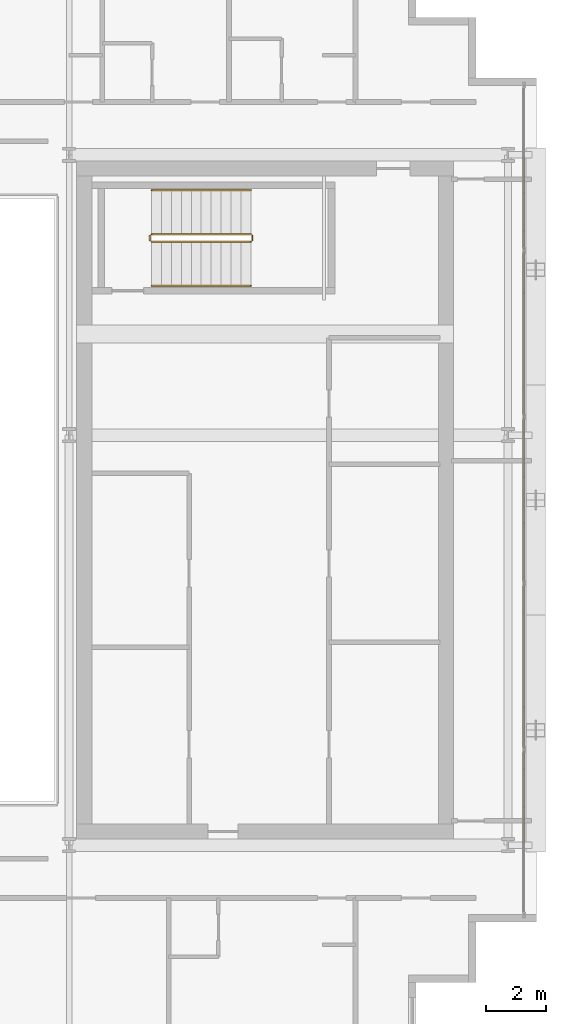
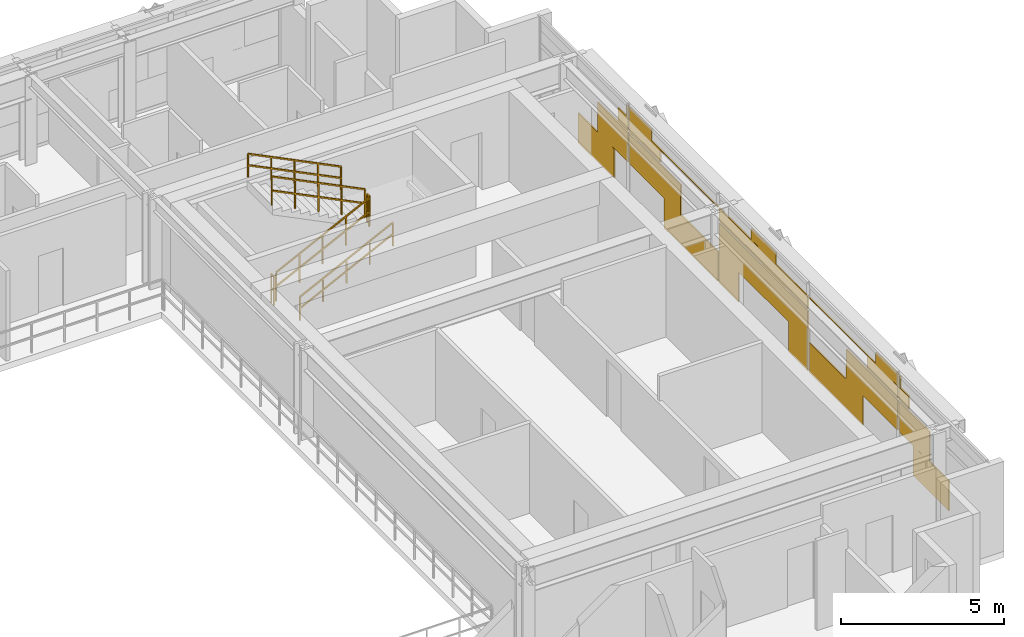
# One storey, part 30 of 31: 6 railings, 1 covering.
"""IFC4 building model written with IfcOpenShell, lengths in metres."""

from ifc_helpers import new_model, si_unit, direction, frame, origin, origin_2d, place, context, subcontext, project, spatial, rectangle, extrude, material, layer, layer_set, type_object, element, save


model = new_model("IFC4")

# Units and contexts
model_context = context("Model", 3, precision=1e-05, world=origin(), true_north=direction((0.0, 1.0)))
body_context = subcontext(model_context, "Body", "Model", "MODEL_VIEW")
ifc_project = project(units=[si_unit("LENGTHUNIT", "METRE"), si_unit("AREAUNIT", "SQUARE_METRE"), si_unit("VOLUMEUNIT", "CUBIC_METRE"), si_unit("PLANEANGLEUNIT", "RADIAN"), si_unit("MASSUNIT", "GRAM", prefix="KILO")], contexts=[model_context])

# Site, building, storey
site_placement = place(None, origin())
site = spatial("IfcSite", under=ifc_project, at=site_placement, CompositionType="ELEMENT")
building_placement = place(site_placement, origin())
building = spatial("IfcBuilding", under=site, at=building_placement, Name="Ocotamira Hotel", CompositionType="ELEMENT")
storey_placement = place(building_placement, frame((0.0, 0.0, 188.39990234375)))
storey = spatial("IfcBuildingStorey", under=building, at=storey_placement, Name="L47", CompositionType="ELEMENT", Elevation=188.39990234375)

# Covering
ifc_material_1 = material(Name="Insulated pale-metal aluminium spandrel panel", Category="aluminium")
ifc_layer = layer(ifc_material_1, 0.044921875)
ifc_layer_set = layer_set([ifc_layer], Name="Insulated pale-metal aluminium spandrel panel")
covering_type = type_object("IfcCoveringType", Name="COV-INFILL-45", PredefinedType="CLADDING", material=ifc_layer_set)
covering_placement = place(storey_placement, origin())
element("IfcCovering", 1, at=covering_placement, inside=storey, type_object=covering_type, Name="L47 Curtain Wall Infill CW-4 CW-L47-E", PredefinedType="CLADDING", context=body_context, shape_type="SweptSolid", body=[
    extrude(rectangle(XDim=2.205078125, YDim=0.044921875, at=origin_2d()), frame((55.580078125, 15.7314453125, 0.07568359375), z_axis=(0.0, 0.0, 1.0), x_axis=(0.0, 1.0, 0.0)), (0.0, 0.0, 1.0), 1.117919921875),
    extrude(rectangle(XDim=1.864501953125, YDim=0.044921875, at=origin_2d()), frame((55.580078125, 16.747314453125, 1.1943359375), z_axis=(0.0, 0.0, 1.0), x_axis=(0.0, 1.0, 0.0)), (0.0, 0.0, 1.0), 1.117919921875),
    extrude(rectangle(XDim=0.59912109375, YDim=0.044921875, at=origin_2d()), frame((55.580078125, 17.3798828125, 2.38818359375), z_axis=(0.0, 0.0, 1.0), x_axis=(0.0, 1.0, 0.0)), (0.0, 0.0, 1.0), 0.493896484375),
    extrude(rectangle(XDim=0.07421875, YDim=0.044921875, at=origin_2d()), frame((55.580078125, 17.642333984375, 2.883056640625), z_axis=(0.0, 0.0, 1.0), x_axis=(0.0, 1.0, 0.0)), (0.0, 0.0, 1.0), 0.41162109375),
    extrude(rectangle(XDim=3.157958984375, YDim=0.044921875, at=origin_2d()), frame((55.580078125, 19.33935546875, 1.1943359375), z_axis=(0.0, 0.0, 1.0), x_axis=(0.0, 1.0, 0.0)), (0.0, 0.0, 1.0), 1.117919921875),
    extrude(rectangle(XDim=3.30029296875, YDim=0.044921875, at=origin_2d()), frame((55.580078125, 21.54931640625, 0.07568359375), z_axis=(0.0, 0.0, 1.0), x_axis=(0.0, 1.0, 0.0)), (0.0, 0.0, 1.0), 1.117919921875),
    extrude(rectangle(XDim=1.892333984375, YDim=0.044921875, at=origin_2d()), frame((55.580078125, 18.70654296875, 2.38818359375), z_axis=(0.0, 0.0, 1.0), x_axis=(0.0, 1.0, 0.0)), (0.0, 0.0, 1.0), 0.459716796875),
    extrude(rectangle(XDim=5.43896484375, YDim=0.044921875, at=origin_2d()), frame((55.580078125, 20.47998046875, 2.848876953125), z_axis=(0.0, 0.0, 1.0), x_axis=(0.0, 1.0, 0.0)), (0.0, 0.0, 1.0), 0.033203125),
    extrude(rectangle(XDim=1.367431640625, YDim=0.044921875, at=origin_2d()), frame((55.580078125, 18.444091796875, 2.883056640625), z_axis=(0.0, 0.0, 1.0), x_axis=(0.0, 1.0, 0.0)), (0.0, 0.0, 1.0), 0.41162109375),
    extrude(rectangle(XDim=1.18701171875, YDim=0.044921875, at=origin_2d()), frame((55.580078125, 23.873779296875, 0.07568359375), z_axis=(0.0, 0.0, 1.0), x_axis=(0.0, 1.0, 0.0)), (0.0, 0.0, 1.0), 1.117919921875),
    extrude(rectangle(XDim=5.43896484375, YDim=0.044921875, at=origin_2d()), frame((55.580078125, 26.0, 1.1943359375), z_axis=(0.0, 0.0, 1.0), x_axis=(0.0, 1.0, 0.0)), (0.0, 0.0, 1.0), 1.117919921875),
    extrude(rectangle(XDim=1.18701171875, YDim=0.044921875, at=origin_2d()), frame((55.580078125, 28.126220703125, 0.07568359375), z_axis=(0.0, 0.0, 1.0), x_axis=(0.0, 1.0, 0.0)), (0.0, 0.0, 1.0), 1.117919921875),
    extrude(rectangle(XDim=5.43896484375, YDim=0.044921875, at=origin_2d()), frame((55.580078125, 26.0, 2.38818359375), z_axis=(0.0, 0.0, 1.0), x_axis=(0.0, 1.0, 0.0)), (0.0, 0.0, 1.0), 0.493896484375),
    extrude(rectangle(XDim=1.522705078125, YDim=0.044921875, at=origin_2d()), frame((55.580078125, 26.0, 2.883056640625), z_axis=(0.0, 0.0, 1.0), x_axis=(0.0, 1.0, 0.0)), (0.0, 0.0, 1.0), 0.41162109375),
    extrude(rectangle(XDim=3.30029296875, YDim=0.044921875, at=origin_2d()), frame((55.580078125, 30.45068359375, 0.07568359375), z_axis=(0.0, 0.0, 1.0), x_axis=(0.0, 1.0, 0.0)), (0.0, 0.0, 1.0), 1.117919921875),
    extrude(rectangle(XDim=3.157958984375, YDim=0.044921875, at=origin_2d()), frame((55.580078125, 32.66064453125, 1.1943359375), z_axis=(0.0, 0.0, 1.0), x_axis=(0.0, 1.0, 0.0)), (0.0, 0.0, 1.0), 1.117919921875),
    extrude(rectangle(XDim=5.43896484375, YDim=0.044921875, at=origin_2d()), frame((55.580078125, 31.52001953125, 2.848876953125), z_axis=(0.0, 0.0, 1.0), x_axis=(0.0, 1.0, 0.0)), (0.0, 0.0, 1.0), 0.033203125),
    extrude(rectangle(XDim=1.892333984375, YDim=0.044921875, at=origin_2d()), frame((55.580078125, 33.29345703125, 2.38818359375), z_axis=(0.0, 0.0, 1.0), x_axis=(0.0, 1.0, 0.0)), (0.0, 0.0, 1.0), 0.459716796875),
    extrude(rectangle(XDim=1.367431640625, YDim=0.044921875, at=origin_2d()), frame((55.580078125, 33.555908203125, 2.883056640625), z_axis=(0.0, 0.0, 1.0), x_axis=(0.0, 1.0, 0.0)), (0.0, 0.0, 1.0), 0.41162109375),
    extrude(rectangle(XDim=1.864501953125, YDim=0.044921875, at=origin_2d()), frame((55.580078125, 35.252685546875, 1.1943359375), z_axis=(0.0, 0.0, 1.0), x_axis=(0.0, 1.0, 0.0)), (0.0, 0.0, 1.0), 1.117919921875),
    extrude(rectangle(XDim=2.205078125, YDim=0.044921875, at=origin_2d()), frame((55.580078125, 36.2685546875, 0.07568359375), z_axis=(0.0, 0.0, 1.0), x_axis=(0.0, 1.0, 0.0)), (0.0, 0.0, 1.0), 1.117919921875),
    extrude(rectangle(XDim=0.59912109375, YDim=0.044921875, at=origin_2d()), frame((55.580078125, 34.6201171875, 2.38818359375), z_axis=(0.0, 0.0, 1.0), x_axis=(0.0, 1.0, 0.0)), (0.0, 0.0, 1.0), 0.493896484375),
    extrude(rectangle(XDim=0.07421875, YDim=0.044921875, at=origin_2d()), frame((55.580078125, 34.357666015625, 2.883056640625), z_axis=(0.0, 0.0, 1.0), x_axis=(0.0, 1.0, 0.0)), (0.0, 0.0, 1.0), 0.41162109375),
])

# Railings
ifc_material_2 = material(Name="Brushed stainless steel handrail", Category="steel")
railing_type_1 = type_object("IfcRailingType", Name="RL-HAND-900", PredefinedType="HANDRAIL", material=ifc_material_2)
railing_1_placement = place(storey_placement, frame((43.22998046875, 33.10009765625, 0.327392578125)))
element("IfcRailing", 2, at=railing_1_placement, inside=storey, type_object=railing_type_1, Name="L47 ST-4 stair handrail 1", PredefinedType="HANDRAIL", context=body_context, shape_type="SweptSolid", body=[
    extrude(rectangle(XDim=0.048095703125, YDim=0.048095703125, at=origin_2d()), frame((0.0, 0.0, 0.8759765625), z_axis=(0.895920123917, 0.0, 0.444215186098), x_axis=(0.0, 1.0, 0.0)), (0.0, 0.0, 1.0), 3.683349609375),
    extrude(rectangle(XDim=0.048095703125, YDim=0.048095703125, at=origin_2d()), frame((0.0, 0.0, 0.449951171875), z_axis=(0.895920123917, 0.0, 0.444215186098), x_axis=(0.0, 1.0, 0.0)), (0.0, 0.0, 1.0), 3.683349609375),
    extrude(rectangle(XDim=0.0419921875, YDim=0.0419921875, at=origin_2d()), origin(), (0.0, 0.0, 1.0), 0.851806640625),
    extrude(rectangle(XDim=0.0419921875, YDim=0.0419921875, at=origin_2d()), frame((0.824951171875, 0.0, 0.4091796875)), (0.0, 0.0, 1.0), 0.851806640625),
    extrude(rectangle(XDim=0.0419921875, YDim=0.0419921875, at=origin_2d()), frame((1.64990234375, 0.0, 0.818115234375)), (0.0, 0.0, 1.0), 0.851806640625),
    extrude(rectangle(XDim=0.0419921875, YDim=0.0419921875, at=origin_2d()), frame((2.47509765625, 0.0, 1.22705078125)), (0.0, 0.0, 1.0), 0.851806640625),
    extrude(rectangle(XDim=0.0419921875, YDim=0.0419921875, at=origin_2d()), frame((3.300048828125, 0.0, 1.63623046875)), (0.0, 0.0, 1.0), 0.851806640625),
])
railing_2_placement = place(storey_placement, frame((46.530029296875, 36.280029296875, 2.12744140625)))
element("IfcRailing", 3, at=railing_2_placement, inside=storey, type_object=railing_type_1, Name="L47 ST-4 stair handrail 2", PredefinedType="HANDRAIL", context=body_context, shape_type="SweptSolid", body=[
    extrude(rectangle(XDim=0.048095703125, YDim=0.048095703125, at=origin_2d()), frame((0.0, 0.0, 0.8759765625), z_axis=(-0.895920123917, 0.0, 0.444215186098), x_axis=(0.0, -1.0, 0.0)), (0.0, 0.0, 1.0), 3.683349609375),
    extrude(rectangle(XDim=0.048095703125, YDim=0.048095703125, at=origin_2d()), frame((0.0, 0.0, 0.449951171875), z_axis=(-0.895920123917, 0.0, 0.444215186098), x_axis=(0.0, -1.0, 0.0)), (0.0, 0.0, 1.0), 3.683349609375),
    extrude(rectangle(XDim=0.0419921875, YDim=0.0419921875, at=origin_2d()), origin(), (0.0, 0.0, 1.0), 0.851806640625),
    extrude(rectangle(XDim=0.0419921875, YDim=0.0419921875, at=origin_2d()), frame((-0.824951171875, 0.0, 0.4091796875)), (0.0, 0.0, 1.0), 0.851806640625),
    extrude(rectangle(XDim=0.0419921875, YDim=0.0419921875, at=origin_2d()), frame((-1.64990234375, 0.0, 0.818115234375)), (0.0, 0.0, 1.0), 0.851806640625),
    extrude(rectangle(XDim=0.0419921875, YDim=0.0419921875, at=origin_2d()), frame((-2.47509765625, 0.0, 1.22705078125)), (0.0, 0.0, 1.0), 0.851806640625),
    extrude(rectangle(XDim=0.0419921875, YDim=0.0419921875, at=origin_2d()), frame((-3.300048828125, 0.0, 1.63623046875)), (0.0, 0.0, 1.0), 0.851806640625),
])
ifc_material_3 = material(Name="Painted steel stair guardrail", Category="steel")
railing_type_2 = type_object("IfcRailingType", Name="RL-STAIR-1100", PredefinedType="GUARDRAIL", material=ifc_material_3)
railing_3_placement = place(storey_placement, frame((43.22998046875, 34.56005859375, 0.163818359375)))
element("IfcRailing", 4, at=railing_3_placement, inside=storey, type_object=railing_type_2, Name="L47 ST-4 stair guard 1", PredefinedType="GUARDRAIL", context=body_context, shape_type="SweptSolid", body=[
    extrude(rectangle(XDim=0.048095703125, YDim=0.048095703125, at=origin_2d()), frame((0.0, 0.0, 1.076171875), z_axis=(0.895920123917, 0.0, 0.444215186098), x_axis=(0.0, 1.0, 0.0)), (0.0, 0.0, 1.0), 3.683349609375),
    extrude(rectangle(XDim=0.048095703125, YDim=0.048095703125, at=origin_2d()), frame((0.0, 0.0, 0.550048828125), z_axis=(0.895920123917, 0.0, 0.444215186098), x_axis=(0.0, 1.0, 0.0)), (0.0, 0.0, 1.0), 3.683349609375),
    extrude(rectangle(XDim=0.0419921875, YDim=0.0419921875, at=origin_2d()), origin(), (0.0, 0.0, 1.0), 1.052001953125),
    extrude(rectangle(XDim=0.0419921875, YDim=0.0419921875, at=origin_2d()), frame((0.824951171875, 0.0, 0.4091796875)), (0.0, 0.0, 1.0), 1.052001953125),
    extrude(rectangle(XDim=0.0419921875, YDim=0.0419921875, at=origin_2d()), frame((1.64990234375, 0.0, 0.818115234375)), (0.0, 0.0, 1.0), 1.052001953125),
    extrude(rectangle(XDim=0.0419921875, YDim=0.0419921875, at=origin_2d()), frame((2.47509765625, 0.0, 1.22705078125)), (0.0, 0.0, 1.0), 1.052001953125),
    extrude(rectangle(XDim=0.0419921875, YDim=0.0419921875, at=origin_2d()), frame((3.300048828125, 0.0, 1.63623046875)), (0.0, 0.0, 1.0), 1.052001953125),
])
railing_4_placement = place(storey_placement, frame((46.580078125, 34.610107421875, 1.800048828125)))
element("IfcRailing", 5, at=railing_4_placement, inside=storey, type_object=railing_type_2, Name="L47 ST-4 stair guard 2", PredefinedType="GUARDRAIL", context=body_context, shape_type="SweptSolid", body=[
    extrude(rectangle(XDim=0.048095703125, YDim=0.048095703125, at=origin_2d()), frame((0.0, 0.0, 1.076171875), z_axis=(0.0, 1.0, 0.0), x_axis=(-1.0, 0.0, 0.0)), (0.0, 0.0, 1.0), 0.159912109375),
    extrude(rectangle(XDim=0.048095703125, YDim=0.048095703125, at=origin_2d()), frame((0.0, 0.0, 0.550048828125), z_axis=(0.0, 1.0, 0.0), x_axis=(-1.0, 0.0, 0.0)), (0.0, 0.0, 1.0), 0.159912109375),
    extrude(rectangle(XDim=0.0419921875, YDim=0.0419921875, at=origin_2d()), origin(), (0.0, 0.0, 1.0), 1.052001953125),
    extrude(rectangle(XDim=0.0419921875, YDim=0.0419921875, at=origin_2d()), frame((0.0, 0.159912109375, 0.0)), (0.0, 0.0, 1.0), 1.052001953125),
])
railing_5_placement = place(storey_placement, frame((46.530029296875, 34.820068359375, 1.963623046875)))
element("IfcRailing", 6, at=railing_5_placement, inside=storey, type_object=railing_type_2, Name="L47 ST-4 stair guard 3", PredefinedType="GUARDRAIL", context=body_context, shape_type="SweptSolid", body=[
    extrude(rectangle(XDim=0.048095703125, YDim=0.048095703125, at=origin_2d()), frame((0.0, 0.0, 1.076171875), z_axis=(-0.895893744519, 0.0, 0.4442683857), x_axis=(0.0, -1.0, 0.0)), (0.0, 0.0, 1.0), 3.68359375),
    extrude(rectangle(XDim=0.048095703125, YDim=0.048095703125, at=origin_2d()), frame((0.0, 0.0, 0.550048828125), z_axis=(-0.895893744519, 0.0, 0.4442683857), x_axis=(0.0, -1.0, 0.0)), (0.0, 0.0, 1.0), 3.68359375),
    extrude(rectangle(XDim=0.0419921875, YDim=0.0419921875, at=origin_2d()), origin(), (0.0, 0.0, 1.0), 1.052001953125),
    extrude(rectangle(XDim=0.0419921875, YDim=0.0419921875, at=origin_2d()), frame((-0.824951171875, 0.0, 0.4091796875)), (0.0, 0.0, 1.0), 1.052001953125),
    extrude(rectangle(XDim=0.0419921875, YDim=0.0419921875, at=origin_2d()), frame((-1.64990234375, 0.0, 0.818359375)), (0.0, 0.0, 1.0), 1.052001953125),
    extrude(rectangle(XDim=0.0419921875, YDim=0.0419921875, at=origin_2d()), frame((-2.47509765625, 0.0, 1.227294921875)), (0.0, 0.0, 1.0), 1.052001953125),
    extrude(rectangle(XDim=0.0419921875, YDim=0.0419921875, at=origin_2d()), frame((-3.300048828125, 0.0, 1.636474609375)), (0.0, 0.0, 1.0), 1.052001953125),
])
railing_6_placement = place(storey_placement, frame((43.179931640625, 34.610107421875, 0.0)))
element("IfcRailing", 7, at=railing_6_placement, inside=storey, type_object=railing_type_2, Name="L47 ST-4 stair guard 4", PredefinedType="GUARDRAIL", context=body_context, shape_type="SweptSolid", body=[
    extrude(rectangle(XDim=0.048095703125, YDim=0.048095703125, at=origin_2d()), frame((0.0, 0.0, 1.076171875), z_axis=(0.0, 1.0, 0.0), x_axis=(-1.0, 0.0, 0.0)), (0.0, 0.0, 1.0), 0.159912109375),
    extrude(rectangle(XDim=0.048095703125, YDim=0.048095703125, at=origin_2d()), frame((0.0, 0.0, 0.550048828125), z_axis=(0.0, 1.0, 0.0), x_axis=(-1.0, 0.0, 0.0)), (0.0, 0.0, 1.0), 0.159912109375),
    extrude(rectangle(XDim=0.0419921875, YDim=0.0419921875, at=origin_2d()), origin(), (0.0, 0.0, 1.0), 1.052001953125),
    extrude(rectangle(XDim=0.0419921875, YDim=0.0419921875, at=origin_2d()), frame((0.0, 0.159912109375, 0.0)), (0.0, 0.0, 1.0), 1.052001953125),
])

save(model, "model.ifc")
